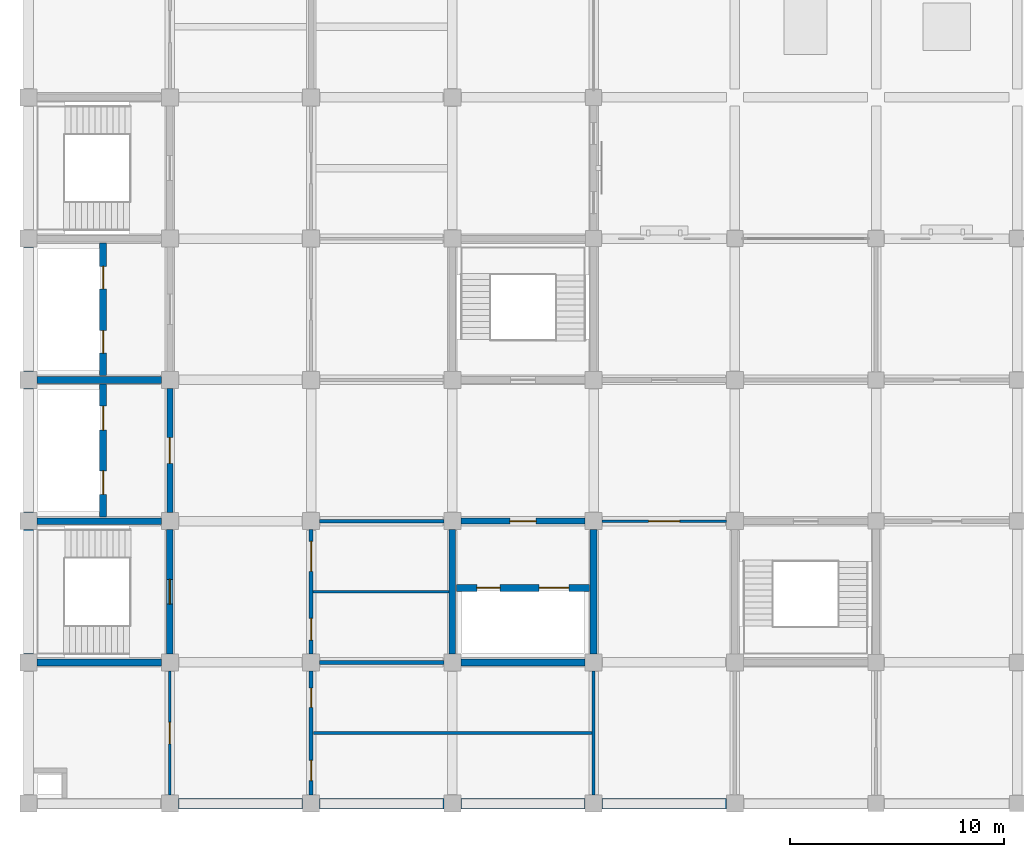
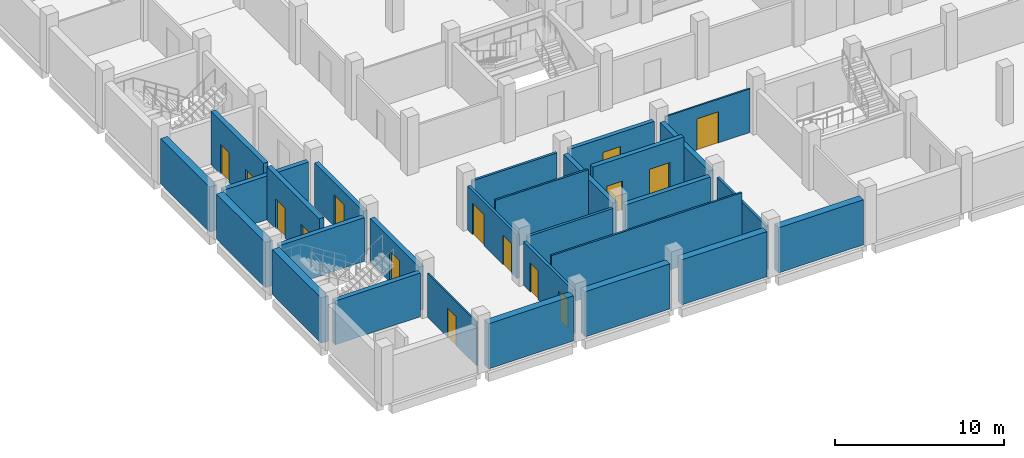
# One storey, part 14 of 23: 28 walls, 15 doors, 15 openings.
"""IFC4 building model written with IfcOpenShell, lengths in metres."""

from ifc_helpers import new_model, si_unit, direction, frame, frame_2d, origin, place, context, subcontext, project, spatial, rectangle, extrude, material, layer, layer_set, type_object, element, fill, save


model = new_model("IFC4")

# Units and contexts
model_context = context("Model", 3, precision=1e-05, world=origin(), true_north=direction((0.0, 1.0)))
body_context = subcontext(model_context, "Body", "Model", "MODEL_VIEW")
ifc_project = project(units=[si_unit("LENGTHUNIT", "METRE"), si_unit("AREAUNIT", "SQUARE_METRE"), si_unit("VOLUMEUNIT", "CUBIC_METRE"), si_unit("PLANEANGLEUNIT", "RADIAN"), si_unit("MASSUNIT", "GRAM", prefix="KILO")], contexts=[model_context])

# Site, building, storey
site_placement = place(None, origin())
site = spatial("IfcSite", under=ifc_project, at=site_placement, CompositionType="ELEMENT")
building_placement = place(site_placement, origin())
building = spatial("IfcBuilding", under=site, at=building_placement, Name="Rusizi Kubbe Research Institute", CompositionType="ELEMENT")
storey_placement = place(building_placement, frame((0.0, 0.0, 18.60009765625)))
storey = spatial("IfcBuildingStorey", under=building, at=storey_placement, Name="L04", CompositionType="ELEMENT", Elevation=18.60009765625)

# Walls
ifc_material_1 = material(Name="Concrete C45/55", Category="concrete")
ifc_layer_1 = layer(ifc_material_1, 0.31494140625)
ifc_layer_set_1 = layer_set([ifc_layer_1], Name="Concrete C45/55")
wall_type_1 = type_object("IfcWallType", Name="CRW-02", PredefinedType="SHEAR", material=ifc_layer_set_1)
for number, where, z_axis, x_axis, name in (
    (1, (0.39990234375, 6.60009765625, 0.0), (0.0, 0.0, 1.0), (1.0, 0.0, 0.0), "Stair Core Shear Wall ST1 L04 S"),
    (2, (0.39990234375, 13.199951171875, 0.0), (0.0, 0.0, 1.0), (1.0, 0.0, 0.0), "Stair Core Shear Wall ST1 L04 N"),
):
    element("IfcWall", number, at=place(storey_placement, frame(where, z_axis=z_axis, x_axis=x_axis)), inside=storey, type_object=wall_type_1, Name=name, PredefinedType="SHEAR", context=body_context, shape_type="SweptSolid", body=[
        extrude(rectangle(XDim=5.800048828125, YDim=0.31494140625, at=frame_2d((2.89990234375, 0.0))), origin(), (0.0, 0.0, 1.0), 3.159912109375),
    ])

# Wall, opening, door
wall_1_placement = place(storey_placement, frame((6.60009765625, 7.0, 0.0), z_axis=(0.0, 0.0, 1.0), x_axis=(0.0, 1.0, 0.0)))
wall_1 = element("IfcWall", 3, at=wall_1_placement, inside=storey, type_object=wall_type_1, Name="Stair Core Shear Wall ST1 L04 E", PredefinedType="SHEAR", context=body_context, shape_type="SweptSolid", body=[
    extrude(rectangle(XDim=5.800048828125, YDim=0.31494140625, at=frame_2d((2.89990234375, 0.0))), origin(), (0.0, 0.0, 1.0), 3.159912109375),
])
opening_1_placement = place(wall_1_placement, frame((2.324951171875, 0.0, 0.0)))
opening_1 = element("IfcOpeningElement", 4, at=opening_1_placement, cuts=wall_1, Name="Opening D-02", PredefinedType="OPENING", context=body_context, shape_type="SweptSolid", body=[
    extrude(rectangle(XDim=1.14990234375, YDim=2.199951171875, at=frame_2d((0.574951171875, 1.10009765625))), frame((0.0, 0.16748046875, 0.0), z_axis=(0.0, -1.0, 0.0), x_axis=(1.0, 0.0, 0.0)), (0.0, 0.0, 1.0), 0.3349609375),
])
ifc_material_2 = material(Name="Fire-Rated Steel Frame and Acoustic Timber Leaf", Category="wood")
door_type_1 = type_object("IfcDoorType", Name="ID-STAIR-115", OperationType="NOTDEFINED", PredefinedType="DOOR", material=ifc_material_2)
door_1_placement = place(opening_1_placement, origin())
door_1 = element("IfcDoor", 5, at=door_1_placement, inside=storey, type_object=door_type_1, Name="Exit Stair Door ST1 L04", OperationType="SINGLE_SWING_RIGHT", OverallHeight=2.199951171875, OverallWidth=1.14990234375, PredefinedType="DOOR", context=body_context, shape_type="SweptSolid", body=[
    extrude(rectangle(XDim=1.14990234375, YDim=2.199951171875, at=frame_2d((0.574951171875, 1.10009765625))), frame((0.0, 0.02490234375, 0.0), z_axis=(0.0, -1.0, 0.0), x_axis=(1.0, 0.0, 0.0)), (0.0, 0.0, 1.0), 0.050048828125),
])
fill(opening_1, door_1)

# Walls
for number, where, z_axis, x_axis, name in (
    (6, (0.39990234375, 19.800048828125, 0.0), (0.0, 0.0, 1.0), (1.0, 0.0, 0.0), "Lift Core Divider Wall (0,2-3) L04"),
    (7, (20.199951171875, 6.60009765625, 0.0), (0.0, 0.0, 1.0), (1.0, 0.0, 0.0), "Lab Lift Core Wall S (3,1) L04"),
    (8, (19.800048828125, 7.0, 0.0), (0.0, 0.0, 1.0), (0.0, 1.0, 0.0), "Lab Lift Core Wall W (3,1) L04"),
    (9, (26.39990234375, 7.0, 0.0), (0.0, 0.0, 1.0), (0.0, 1.0, 0.0), "Lab Lift Core Wall E (3,1) L04"),
):
    element("IfcWall", number, at=place(storey_placement, frame(where, z_axis=z_axis, x_axis=x_axis)), inside=storey, type_object=wall_type_1, Name=name, PredefinedType="SHEAR", context=body_context, shape_type="SweptSolid", body=[
        extrude(rectangle(XDim=5.800048828125, YDim=0.31494140625, at=frame_2d((2.89990234375, 0.0))), origin(), (0.0, 0.0, 1.0), 3.159912109375),
    ])

# Wall, openings, doors
wall_2_placement = place(storey_placement, frame((3.47998046875, 13.39990234375, 0.0), z_axis=(0.0, 0.0, 1.0), x_axis=(0.0, 1.0, 0.0)))
wall_2 = element("IfcWall", 10, at=wall_2_placement, inside=storey, type_object=wall_type_1, Name="Firefighting Lift Shaft Front Wall L04", PredefinedType="SHEAR", context=body_context, shape_type="SweptSolid", body=[
    extrude(rectangle(XDim=6.2001953125, YDim=0.31494140625, at=frame_2d((3.10009765625, 0.0))), origin(), (0.0, 0.0, 1.0), 3.85986328125),
])
opening_2_placement = place(wall_2_placement, frame((1.050048828125, 0.0, 0.0)))
opening_2 = element("IfcOpeningElement", 11, at=opening_2_placement, cuts=wall_2, Name="Opening LD-01", PredefinedType="OPENING", context=body_context, shape_type="SweptSolid", body=[
    extrude(rectangle(XDim=1.10009765625, YDim=2.14990234375, at=frame_2d((0.550048828125, 1.074951171875))), frame((0.0, 0.16748046875, 0.0), z_axis=(0.0, -1.0, 0.0), x_axis=(1.0, 0.0, 0.0)), (0.0, 0.0, 1.0), 0.3349609375),
])
opening_3_placement = place(wall_2_placement, frame((4.050048828125, 0.0, 0.0)))
opening_3 = element("IfcOpeningElement", 12, at=opening_3_placement, cuts=wall_2, Name="Opening LD-02", PredefinedType="OPENING", context=body_context, shape_type="SweptSolid", body=[
    extrude(rectangle(XDim=1.1201171875, YDim=2.14990234375, at=frame_2d((0.56005859375, 1.074951171875))), frame((0.0, 0.16748046875, 0.0), z_axis=(0.0, -1.0, 0.0), x_axis=(1.0, 0.0, 0.0)), (0.0, 0.0, 1.0), 0.3349609375),
])
ifc_material_3 = material(Name="Brushed Stainless Steel Sliding Door", Category="steel")
door_type_2 = type_object("IfcDoorType", Name="LD-01", OperationType="DOUBLE_DOOR_SLIDING", PredefinedType="USERDEFINED", material=ifc_material_3)
door_2_placement = place(opening_2_placement, origin())
door_2 = element("IfcDoor", 13, at=door_2_placement, inside=storey, type_object=door_type_2, Name="Lift Landing Sliding Door FL1 L04", ObjectType="SLIDING DOOR", OperationType="DOUBLE_DOOR_SLIDING", OverallHeight=2.14990234375, OverallWidth=1.10009765625, PredefinedType="USERDEFINED", context=body_context, shape_type="SweptSolid", body=[
    extrude(rectangle(XDim=1.10009765625, YDim=2.14990234375, at=frame_2d((0.550048828125, 1.074951171875))), frame((0.0, 0.02490234375, 0.0), z_axis=(0.0, -1.0, 0.0), x_axis=(1.0, 0.0, 0.0)), (0.0, 0.0, 1.0), 0.050048828125),
])
fill(opening_2, door_2)
ifc_material_4 = material(Name="Brushed Stainless Steel Sliding Door", Category="steel")
door_type_3 = type_object("IfcDoorType", Name="LD-02", OperationType="DOUBLE_DOOR_SLIDING", PredefinedType="USERDEFINED", material=ifc_material_4)
door_3_placement = place(opening_3_placement, origin())
door_3 = element("IfcDoor", 14, at=door_3_placement, inside=storey, type_object=door_type_3, Name="Lift Landing Sliding Door FL2 L04", ObjectType="SLIDING DOOR", OperationType="DOUBLE_DOOR_SLIDING", OverallHeight=2.14990234375, OverallWidth=1.1201171875, PredefinedType="USERDEFINED", context=body_context, shape_type="SweptSolid", body=[
    extrude(rectangle(XDim=1.1201171875, YDim=2.14990234375, at=frame_2d((0.56005859375, 1.074951171875))), frame((0.0, 0.02490234375, 0.0), z_axis=(0.0, -1.0, 0.0), x_axis=(1.0, 0.0, 0.0)), (0.0, 0.0, 1.0), 0.050048828125),
])
fill(opening_3, door_3)

wall_3_placement = place(storey_placement, frame((3.47998046875, 20.0, 0.0), z_axis=(0.0, 0.0, 1.0), x_axis=(0.0, 1.0, 0.0)))
wall_3 = element("IfcWall", 15, at=wall_3_placement, inside=storey, type_object=wall_type_1, Name="Passenger Lift Shaft Front Wall L04", PredefinedType="SHEAR", context=body_context, shape_type="SweptSolid", body=[
    extrude(rectangle(XDim=6.199951171875, YDim=0.31494140625, at=frame_2d((3.10009765625, 0.0))), origin(), (0.0, 0.0, 1.0), 3.85986328125),
])
opening_4_placement = place(wall_3_placement, frame((1.050048828125, 0.0, 0.0)))
opening_4 = element("IfcOpeningElement", 16, at=opening_4_placement, cuts=wall_3, Name="Opening LD-03", PredefinedType="OPENING", context=body_context, shape_type="SweptSolid", body=[
    extrude(rectangle(XDim=1.050048828125, YDim=2.14990234375, at=frame_2d((0.52490234375, 1.074951171875))), frame((0.0, 0.16748046875, 0.0), z_axis=(0.0, -1.0, 0.0), x_axis=(1.0, 0.0, 0.0)), (0.0, 0.0, 1.0), 0.3349609375),
])
opening_5_placement = place(wall_3_placement, frame((4.050048828125, 0.0, 0.0)))
opening_5 = element("IfcOpeningElement", 17, at=opening_5_placement, cuts=wall_3, Name="Opening LD-04", PredefinedType="OPENING", context=body_context, shape_type="SweptSolid", body=[
    extrude(rectangle(XDim=1.06005859375, YDim=2.14990234375, at=frame_2d((0.530029296875, 1.074951171875))), frame((0.0, 0.16748046875, 0.0), z_axis=(0.0, -1.0, 0.0), x_axis=(1.0, 0.0, 0.0)), (0.0, 0.0, 1.0), 0.3349609375),
])
ifc_material_5 = material(Name="Brushed Stainless Steel Sliding Door", Category="steel")
door_type_4 = type_object("IfcDoorType", Name="LD-03", OperationType="DOUBLE_DOOR_SLIDING", PredefinedType="USERDEFINED", material=ifc_material_5)
door_4_placement = place(opening_4_placement, origin())
door_4 = element("IfcDoor", 18, at=door_4_placement, inside=storey, type_object=door_type_4, Name="Lift Landing Sliding Door LP1 L04", ObjectType="SLIDING DOOR", OperationType="DOUBLE_DOOR_SLIDING", OverallHeight=2.14990234375, OverallWidth=1.050048828125, PredefinedType="USERDEFINED", context=body_context, shape_type="SweptSolid", body=[
    extrude(rectangle(XDim=1.050048828125, YDim=2.14990234375, at=frame_2d((0.52490234375, 1.074951171875))), frame((0.0, 0.02490234375, 0.0), z_axis=(0.0, -1.0, 0.0), x_axis=(1.0, 0.0, 0.0)), (0.0, 0.0, 1.0), 0.050048828125),
])
fill(opening_4, door_4)
ifc_material_6 = material(Name="Brushed Stainless Steel Sliding Door", Category="steel")
door_type_5 = type_object("IfcDoorType", Name="LD-04", OperationType="DOUBLE_DOOR_SLIDING", PredefinedType="USERDEFINED", material=ifc_material_6)
door_5_placement = place(opening_5_placement, origin())
door_5 = element("IfcDoor", 19, at=door_5_placement, inside=storey, type_object=door_type_5, Name="Lift Landing Sliding Door LP2 L04", ObjectType="SLIDING DOOR", OperationType="DOUBLE_DOOR_SLIDING", OverallHeight=2.14990234375, OverallWidth=1.06005859375, PredefinedType="USERDEFINED", context=body_context, shape_type="SweptSolid", body=[
    extrude(rectangle(XDim=1.06005859375, YDim=2.14990234375, at=frame_2d((0.530029296875, 1.074951171875))), frame((0.0, 0.02490234375, 0.0), z_axis=(0.0, -1.0, 0.0), x_axis=(1.0, 0.0, 0.0)), (0.0, 0.0, 1.0), 0.050048828125),
])
fill(opening_5, door_5)

wall_4_placement = place(storey_placement, frame((20.0, 10.080078125, 0.0), z_axis=(0.0, 0.0, 1.0), x_axis=(1.0, 0.0, 0.0)))
wall_4 = element("IfcWall", 20, at=wall_4_placement, inside=storey, type_object=wall_type_1, Name="Goods Lift Shaft Front Wall L04", PredefinedType="SHEAR", context=body_context, shape_type="SweptSolid", body=[
    extrude(rectangle(XDim=6.199951171875, YDim=0.31494140625, at=frame_2d((3.10009765625, 0.0))), origin(), (0.0, 0.0, 1.0), 3.85986328125),
])
opening_6_placement = place(wall_4_placement, frame((0.949951171875, 0.0, 0.0)))
opening_6 = element("IfcOpeningElement", 21, at=opening_6_placement, cuts=wall_4, Name="Opening LD-05", PredefinedType="OPENING", context=body_context, shape_type="SweptSolid", body=[
    extrude(rectangle(XDim=1.080078125, YDim=2.14990234375, at=frame_2d((0.5400390625, 1.074951171875))), frame((0.0, 0.16748046875, 0.0), z_axis=(0.0, -1.0, 0.0), x_axis=(1.0, 0.0, 0.0)), (0.0, 0.0, 1.0), 0.3349609375),
])
opening_7_placement = place(wall_4_placement, frame((3.85009765625, 0.0, 0.0)))
opening_7 = element("IfcOpeningElement", 22, at=opening_7_placement, cuts=wall_4, Name="Opening LD-06", PredefinedType="OPENING", context=body_context, shape_type="SweptSolid", body=[
    extrude(rectangle(XDim=1.39990234375, YDim=2.35009765625, at=frame_2d((0.699951171875, 1.175048828125))), frame((0.0, 0.16748046875, 0.0), z_axis=(0.0, -1.0, 0.0), x_axis=(1.0, 0.0, 0.0)), (0.0, 0.0, 1.0), 0.3349609375),
])
ifc_material_7 = material(Name="Brushed Stainless Steel Sliding Door", Category="steel")
door_type_6 = type_object("IfcDoorType", Name="LD-05", OperationType="DOUBLE_DOOR_SLIDING", PredefinedType="USERDEFINED", material=ifc_material_7)
door_6_placement = place(opening_6_placement, origin())
door_6 = element("IfcDoor", 23, at=door_6_placement, inside=storey, type_object=door_type_6, Name="Lift Landing Sliding Door LP3 L04", ObjectType="SLIDING DOOR", OperationType="DOUBLE_DOOR_SLIDING", OverallHeight=2.14990234375, OverallWidth=1.080078125, PredefinedType="USERDEFINED", context=body_context, shape_type="SweptSolid", body=[
    extrude(rectangle(XDim=1.080078125, YDim=2.14990234375, at=frame_2d((0.5400390625, 1.074951171875))), frame((0.0, 0.02490234375, 0.0), z_axis=(0.0, -1.0, 0.0), x_axis=(1.0, 0.0, 0.0)), (0.0, 0.0, 1.0), 0.050048828125),
])
fill(opening_6, door_6)
ifc_material_8 = material(Name="Brushed Stainless Steel Sliding Door", Category="steel")
door_type_7 = type_object("IfcDoorType", Name="LD-06", OperationType="DOUBLE_DOOR_SLIDING", PredefinedType="USERDEFINED", material=ifc_material_8)
door_7_placement = place(opening_7_placement, origin())
door_7 = element("IfcDoor", 24, at=door_7_placement, inside=storey, type_object=door_type_7, Name="Lift Landing Sliding Door LG1 L04", ObjectType="SLIDING DOOR", OperationType="DOUBLE_DOOR_SLIDING", OverallHeight=2.35009765625, OverallWidth=1.39990234375, PredefinedType="USERDEFINED", context=body_context, shape_type="SweptSolid", body=[
    extrude(rectangle(XDim=1.39990234375, YDim=2.35009765625, at=frame_2d((0.699951171875, 1.175048828125))), frame((0.0, 0.02490234375, 0.0), z_axis=(0.0, -1.0, 0.0), x_axis=(1.0, 0.0, 0.0)), (0.0, 0.0, 1.0), 0.050048828125),
])
fill(opening_7, door_7)

ifc_material_9 = material(Name="Insulated Cleanroom Partition", Category="masonry")
ifc_layer_2 = layer(ifc_material_9, 0.195068359375)
ifc_layer_set_2 = layer_set([ifc_layer_2], Name="Insulated Cleanroom Partition")
wall_type_2 = type_object("IfcWallType", Name="IW-02", PredefinedType="PARTITIONING", material=ifc_layer_set_2)
wall_5_placement = place(storey_placement, frame((13.199951171875, 0.39990234375, 0.0), z_axis=(0.0, 0.0, 1.0), x_axis=(0.0, 1.0, 0.0)))
wall_5 = element("IfcWall", 25, at=wall_5_placement, inside=storey, type_object=wall_type_2, Name="Sanitary Core West Corridor Wall L04", PredefinedType="PARTITIONING", context=body_context, shape_type="SweptSolid", body=[
    extrude(rectangle(XDim=5.800048828125, YDim=0.195068359375, at=frame_2d((2.89990234375, 0.0))), origin(), (0.0, 0.0, 1.0), 3.159912109375),
])
opening_8_placement = place(wall_5_placement, frame((0.675048828125, 0.0, 0.0)))
opening_8 = element("IfcOpeningElement", 26, at=opening_8_placement, cuts=wall_5, Name="Opening D-06", PredefinedType="OPENING", context=body_context, shape_type="SweptSolid", body=[
    extrude(rectangle(XDim=0.949951171875, YDim=2.10009765625, at=frame_2d((0.47509765625, 1.050048828125))), frame((0.0, 0.107421875, 0.0), z_axis=(0.0, -1.0, 0.0), x_axis=(1.0, 0.0, 0.0)), (0.0, 0.0, 1.0), 0.215087890625),
])
opening_9_placement = place(wall_5_placement, frame((4.10009765625, 0.0, 0.0)))
opening_9 = element("IfcOpeningElement", 27, at=opening_9_placement, cuts=wall_5, Name="Opening D-05", PredefinedType="OPENING", context=body_context, shape_type="SweptSolid", body=[
    extrude(rectangle(XDim=0.89990234375, YDim=2.10009765625, at=frame_2d((0.449951171875, 1.050048828125))), frame((0.0, 0.107421875, 0.0), z_axis=(0.0, -1.0, 0.0), x_axis=(1.0, 0.0, 0.0)), (0.0, 0.0, 1.0), 0.215087890625),
])
ifc_material_10 = material(Name="Fire-Rated Steel Frame and Acoustic Timber Leaf", Category="wood")
door_type_8 = type_object("IfcDoorType", Name="ID-WC-900", OperationType="NOTDEFINED", PredefinedType="DOOR", material=ifc_material_10)
door_8_placement = place(opening_9_placement, origin())
door_8 = element("IfcDoor", 28, at=door_8_placement, inside=storey, type_object=door_type_8, Name="Door to Female Toilet Room (L04-WC-F)", OperationType="SINGLE_SWING_LEFT", OverallHeight=2.10009765625, OverallWidth=0.89990234375, PredefinedType="DOOR", context=body_context, shape_type="SweptSolid", body=[
    extrude(rectangle(XDim=0.89990234375, YDim=2.10009765625, at=frame_2d((0.449951171875, 1.050048828125))), frame((0.0, 0.02490234375, 0.0), z_axis=(0.0, -1.0, 0.0), x_axis=(1.0, 0.0, 0.0)), (0.0, 0.0, 1.0), 0.050048828125),
])
fill(opening_9, door_8)
ifc_material_11 = material(Name="Fire-Rated Steel Frame and Acoustic Timber Leaf", Category="wood")
door_type_9 = type_object("IfcDoorType", Name="ID-WC-950", OperationType="NOTDEFINED", PredefinedType="DOOR", material=ifc_material_11)
door_9_placement = place(opening_8_placement, origin())
door_9 = element("IfcDoor", 29, at=door_9_placement, inside=storey, type_object=door_type_9, Name="Door to Male Toilet Room (L04-WC-M)", OperationType="SINGLE_SWING_RIGHT", OverallHeight=2.10009765625, OverallWidth=0.949951171875, PredefinedType="DOOR", context=body_context, shape_type="SweptSolid", body=[
    extrude(rectangle(XDim=0.949951171875, YDim=2.10009765625, at=frame_2d((0.47509765625, 1.050048828125))), frame((0.0, 0.02490234375, 0.0), z_axis=(0.0, -1.0, 0.0), x_axis=(1.0, 0.0, 0.0)), (0.0, 0.0, 1.0), 0.050048828125),
])
fill(opening_8, door_9)

# Wall
ifc_material_12 = material(Name="Acoustic Laboratory Partition", Category="masonry")
ifc_layer_3 = layer(ifc_material_12, 0.175048828125)
ifc_layer_set_3 = layer_set([ifc_layer_3], Name="Acoustic Laboratory Partition")
wall_type_3 = type_object("IfcWallType", Name="IW-03", PredefinedType="PARTITIONING", material=ifc_layer_set_3)
wall_6_placement = place(storey_placement, frame((13.60009765625, 6.60009765625, 0.0), z_axis=(0.0, 0.0, 1.0), x_axis=(1.0, 0.0, 0.0)))
element("IfcWall", 30, at=wall_6_placement, inside=storey, type_object=wall_type_3, Name="Sanitary Core North Divider Wall L04", PredefinedType="PARTITIONING", context=body_context, shape_type="SweptSolid", body=[
    extrude(rectangle(XDim=5.7998046875, YDim=0.175048828125, at=frame_2d((2.89990234375, 0.0))), origin(), (0.0, 0.0, 1.0), 3.159912109375),
])

# Wall, openings, doors
wall_7_placement = place(storey_placement, frame((13.199951171875, 7.0, 0.0), z_axis=(0.0, 0.0, 1.0), x_axis=(0.0, 1.0, 0.0)))
wall_7 = element("IfcWall", 31, at=wall_7_placement, inside=storey, type_object=wall_type_3, Name="Accessible WC and Store West Wall L04", PredefinedType="PARTITIONING", context=body_context, shape_type="SweptSolid", body=[
    extrude(rectangle(XDim=5.800048828125, YDim=0.175048828125, at=frame_2d((2.89990234375, 0.0))), origin(), (0.0, 0.0, 1.0), 3.159912109375),
])
opening_10_placement = place(wall_7_placement, frame((0.639892578125, 0.0, 0.0)))
opening_10 = element("IfcOpeningElement", 32, at=opening_10_placement, cuts=wall_7, Name="Opening D-07", PredefinedType="OPENING", context=body_context, shape_type="SweptSolid", body=[
    extrude(rectangle(XDim=1.02001953125, YDim=2.14990234375, at=frame_2d((0.510009765625, 1.074951171875))), frame((0.0, 0.097412109375, 0.0), z_axis=(0.0, -1.0, 0.0), x_axis=(1.0, 0.0, 0.0)), (0.0, 0.0, 1.0), 0.195068359375),
])
opening_11_placement = place(wall_7_placement, frame((3.85009765625, 0.0, 0.0)))
opening_11 = element("IfcOpeningElement", 33, at=opening_11_placement, cuts=wall_7, Name="Opening D-12", PredefinedType="OPENING", context=body_context, shape_type="SweptSolid", body=[
    extrude(rectangle(XDim=1.39990234375, YDim=2.25, at=frame_2d((0.699951171875, 1.125))), frame((0.0, 0.097412109375, 0.0), z_axis=(0.0, -1.0, 0.0), x_axis=(1.0, 0.0, 0.0)), (0.0, 0.0, 1.0), 0.195068359375),
])
ifc_material_13 = material(Name="Fire-Rated Steel Frame and Acoustic Timber Leaf", Category="wood")
door_type_10 = type_object("IfcDoorType", Name="ID-LAB-140", OperationType="NOTDEFINED", PredefinedType="DOOR", material=ifc_material_13)
door_10_placement = place(opening_11_placement, origin())
door_10 = element("IfcDoor", 34, at=door_10_placement, inside=storey, type_object=door_type_10, Name="Door to Laboratory Reagent Store (L04-STR-01)", OperationType="SINGLE_SWING_RIGHT", OverallHeight=2.25, OverallWidth=1.39990234375, PredefinedType="DOOR", context=body_context, shape_type="SweptSolid", body=[
    extrude(rectangle(XDim=1.39990234375, YDim=2.25, at=frame_2d((0.699951171875, 1.125))), frame((0.0, 0.02490234375, 0.0), z_axis=(0.0, -1.0, 0.0), x_axis=(1.0, 0.0, 0.0)), (0.0, 0.0, 1.0), 0.050048828125),
])
fill(opening_11, door_10)
ifc_material_14 = material(Name="Fire-Rated Steel Frame and Acoustic Timber Leaf", Category="wood")
door_type_11 = type_object("IfcDoorType", Name="ID-WC-ACC", OperationType="NOTDEFINED", PredefinedType="DOOR", material=ifc_material_14)
door_11_placement = place(opening_10_placement, origin())
door_11 = element("IfcDoor", 35, at=door_11_placement, inside=storey, type_object=door_type_11, Name="Door to Accessible Toilet Room (L04-WC-ACC)", OperationType="SINGLE_SWING_LEFT", OverallHeight=2.14990234375, OverallWidth=1.02001953125, PredefinedType="DOOR", context=body_context, shape_type="SweptSolid", body=[
    extrude(rectangle(XDim=1.02001953125, YDim=2.14990234375, at=frame_2d((0.510009765625, 1.074951171875))), frame((0.0, 0.02490234375, 0.0), z_axis=(0.0, -1.0, 0.0), x_axis=(1.0, 0.0, 0.0)), (0.0, 0.0, 1.0), 0.050048828125),
])
fill(opening_10, door_11)

# Walls
ifc_material_15 = material(Name="Fire-Rated Corridor Partition", Category="masonry")
ifc_layer_4 = layer(ifc_material_15, 0.155029296875)
ifc_layer_set_4 = layer_set([ifc_layer_4], Name="Fire-Rated Corridor Partition")
wall_type_4 = type_object("IfcWallType", Name="IW-04", PredefinedType="PARTITIONING", material=ifc_layer_set_4)
wall_8_placement = place(storey_placement, frame((26.39990234375, 0.39990234375, 0.0), z_axis=(0.0, 0.0, 1.0), x_axis=(0.0, 1.0, 0.0)))
element("IfcWall", 36, at=wall_8_placement, inside=storey, type_object=wall_type_4, Name="Sanitary Core East Enclosing Wall L04", PredefinedType="PARTITIONING", context=body_context, shape_type="SweptSolid", body=[
    extrude(rectangle(XDim=5.800048828125, YDim=0.155029296875, at=frame_2d((2.89990234375, 0.0))), origin(), (0.0, 0.0, 1.0), 3.159912109375),
])
wall_9_placement = place(storey_placement, frame((13.60009765625, 13.199951171875, 0.0), z_axis=(0.0, 0.0, 1.0), x_axis=(1.0, 0.0, 0.0)))
element("IfcWall", 37, at=wall_9_placement, inside=storey, type_object=wall_type_4, Name="Reagent Store North Corridor Wall L04", PredefinedType="PARTITIONING", context=body_context, shape_type="SweptSolid", body=[
    extrude(rectangle(XDim=5.7998046875, YDim=0.155029296875, at=frame_2d((2.89990234375, 0.0))), origin(), (0.0, 0.0, 1.0), 3.159912109375),
])
ifc_material_16 = material(Name="Sanitary Wet-Wall Partition", Category="masonry")
ifc_layer_5 = layer(ifc_material_16, 0.125)
ifc_layer_set_5 = layer_set([ifc_layer_5], Name="Sanitary Wet-Wall Partition")
wall_type_5 = type_object("IfcWallType", Name="IW-06", PredefinedType="PARTITIONING", material=ifc_layer_set_5)
wall_10_placement = place(storey_placement, frame((13.302490234375, 3.300048828125, 0.0), z_axis=(0.0, 0.0, 1.0), x_axis=(1.0, 0.0, 0.0)))
element("IfcWall", 38, at=wall_10_placement, inside=storey, type_object=wall_type_5, Name="Sanitary Divider Wall L04-1", PredefinedType="PARTITIONING", context=body_context, shape_type="SweptSolid", body=[
    extrude(rectangle(XDim=13.014892578125, YDim=0.125, at=frame_2d((6.50732421875, 0.0))), origin(), (0.0, 0.0, 1.0), 3.85986328125),
])
wall_11_placement = place(storey_placement, frame((13.29248046875, 9.89990234375, 0.0), z_axis=(0.0, 0.0, 1.0), x_axis=(1.0, 0.0, 0.0)))
element("IfcWall", 39, at=wall_11_placement, inside=storey, type_object=wall_type_5, Name="Sanitary Divider Wall L04-2", PredefinedType="PARTITIONING", context=body_context, shape_type="SweptSolid", body=[
    extrude(rectangle(XDim=6.344970703125, YDim=0.125, at=frame_2d((3.17236328125, 0.0))), origin(), (0.0, 0.0, 1.0), 3.85986328125),
])

# Wall, opening, door
ifc_material_17 = material(Name="Sub-Suite Fire Partition", Category="masonry")
ifc_layer_6 = layer(ifc_material_17, 0.110107421875)
ifc_layer_set_6 = layer_set([ifc_layer_6], Name="Sub-Suite Fire Partition")
wall_type_6 = type_object("IfcWallType", Name="IW-07", PredefinedType="PARTITIONING", material=ifc_layer_set_6)
wall_12_placement = place(storey_placement, frame((6.60009765625, 0.39990234375, 0.0), z_axis=(0.0, 0.0, 1.0), x_axis=(0.0, 1.0, 0.0)))
wall_12 = element("IfcWall", 40, at=wall_12_placement, inside=storey, type_object=wall_type_6, Name="Interior Partition Wall L04 V1-0", PredefinedType="PARTITIONING", context=body_context, shape_type="SweptSolid", body=[
    extrude(rectangle(XDim=5.800048828125, YDim=0.110107421875, at=frame_2d((2.89990234375, 0.0))), origin(), (0.0, 0.0, 1.0), 3.159912109375),
])
opening_12_placement = place(wall_12_placement, frame((2.39990234375, 0.0, 0.0)))
opening_12 = element("IfcOpeningElement", 41, at=opening_12_placement, cuts=wall_12, Name="Opening D-04", PredefinedType="OPENING", context=body_context, shape_type="SweptSolid", body=[
    extrude(rectangle(XDim=1.0, YDim=2.10009765625, at=frame_2d((0.5, 1.050048828125))), frame((0.0, 0.06494140625, 0.0), z_axis=(0.0, -1.0, 0.0), x_axis=(1.0, 0.0, 0.0)), (0.0, 0.0, 1.0), 0.130126953125),
])
ifc_material_18 = material(Name="Fire-Rated Steel Frame and Acoustic Timber Leaf", Category="wood")
door_type_12 = type_object("IfcDoorType", Name="ID-MEP-100", OperationType="NOTDEFINED", PredefinedType="DOOR", material=ifc_material_18)
door_12_placement = place(opening_12_placement, origin())
door_12 = element("IfcDoor", 42, at=door_12_placement, inside=storey, type_object=door_type_12, Name="Door to Service Spine Utility Riser Room (L04-MEP-01)", OperationType="SINGLE_SWING_RIGHT", OverallHeight=2.10009765625, OverallWidth=1.0, PredefinedType="DOOR", context=body_context, shape_type="SweptSolid", body=[
    extrude(rectangle(XDim=1.0, YDim=2.10009765625, at=frame_2d((0.5, 1.050048828125))), frame((0.0, 0.02490234375, 0.0), z_axis=(0.0, -1.0, 0.0), x_axis=(1.0, 0.0, 0.0)), (0.0, 0.0, 1.0), 0.050048828125),
])
fill(opening_12, door_12)

wall_13_placement = place(storey_placement, frame((26.800048828125, 13.199951171875, 0.0), z_axis=(0.0, 0.0, 1.0), x_axis=(1.0, 0.0, 0.0)))
wall_13 = element("IfcWall", 43, at=wall_13_placement, inside=storey, type_object=wall_type_6, Name="Interior Partition Wall L04 H4-2", PredefinedType="PARTITIONING", context=body_context, shape_type="SweptSolid", body=[
    extrude(rectangle(XDim=5.800048828125, YDim=0.110107421875, at=frame_2d((2.89990234375, 0.0))), origin(), (0.0, 0.0, 1.0), 3.159912109375),
])
opening_13_placement = place(wall_13_placement, frame((2.175048828125, 0.0, 0.0)))
opening_13 = element("IfcOpeningElement", 44, at=opening_13_placement, cuts=wall_13, Name="Opening D-11", PredefinedType="OPENING", context=body_context, shape_type="SweptSolid", body=[
    extrude(rectangle(XDim=1.449951171875, YDim=2.25, at=frame_2d((0.72509765625, 1.125))), frame((0.0, 0.06494140625, 0.0), z_axis=(0.0, -1.0, 0.0), x_axis=(1.0, 0.0, 0.0)), (0.0, 0.0, 1.0), 0.130126953125),
])
ifc_material_19 = material(Name="Fire-Rated Steel Frame and Acoustic Timber Leaf", Category="wood")
door_type_13 = type_object("IfcDoorType", Name="ID-LAB-145", OperationType="NOTDEFINED", PredefinedType="DOOR", material=ifc_material_19)
door_13_placement = place(opening_13_placement, origin())
door_13 = element("IfcDoor", 45, at=door_13_placement, inside=storey, type_object=door_type_13, Name="Door to Catalysis Wet Laboratory (L04-EWS-01)", OperationType="SINGLE_SWING_LEFT", OverallHeight=2.25, OverallWidth=1.449951171875, PredefinedType="DOOR", context=body_context, shape_type="SweptSolid", body=[
    extrude(rectangle(XDim=1.449951171875, YDim=2.25, at=frame_2d((0.72509765625, 1.125))), frame((0.0, 0.02490234375, 0.0), z_axis=(0.0, -1.0, 0.0), x_axis=(1.0, 0.0, 0.0)), (0.0, 0.0, 1.0), 0.050048828125),
])
fill(opening_13, door_13)

# Walls
ifc_material_20 = material(Name="Concrete C40/50", Category="concrete")
ifc_layer_7 = layer(ifc_material_20, 0.47998046875)
ifc_layer_set_7 = layer_set([ifc_layer_7], Name="Concrete C40/50")
wall_type_7 = type_object("IfcWallType", Name="PW-01", PredefinedType="SOLIDWALL", material=ifc_layer_set_7)
wall_14_placement = place(storey_placement, frame((0.0, 7.0, 0.0), z_axis=(0.0, 0.0, 1.0), x_axis=(0.0, 1.0, 0.0)))
element("IfcWall", 46, at=wall_14_placement, inside=storey, type_object=wall_type_7, Name="Blind Party Wall L04 V0-1", PredefinedType="SOLIDWALL", context=body_context, shape_type="SweptSolid", body=[
    extrude(rectangle(XDim=5.800048828125, YDim=0.47998046875, at=frame_2d((2.89990234375, 0.0))), origin(), (0.0, 0.0, 1.0), 3.260009765625),
])
wall_15_placement = place(storey_placement, frame((0.0, 13.60009765625, 0.0), z_axis=(0.0, 0.0, 1.0), x_axis=(0.0, 1.0, 0.0)))
element("IfcWall", 47, at=wall_15_placement, inside=storey, type_object=wall_type_7, Name="Blind Party Wall L04 V0-2", PredefinedType="SOLIDWALL", context=body_context, shape_type="SweptSolid", body=[
    extrude(rectangle(XDim=5.7998046875, YDim=0.47998046875, at=frame_2d((2.89990234375, 0.0))), origin(), (0.0, 0.0, 1.0), 3.260009765625),
])
for number, where, z_axis, x_axis, name in (
    (48, (0.0, 20.199951171875, 0.0), (0.0, 0.0, 1.0), (0.0, 1.0, 0.0), "Blind Party Wall L04 V0-3"),
    (49, (7.0, 0.0, 0.0), (0.0, 0.0, 1.0), (1.0, 0.0, 0.0), "Blind Party Wall L04 H1-0"),
):
    element("IfcWall", number, at=place(storey_placement, frame(where, z_axis=z_axis, x_axis=x_axis)), inside=storey, type_object=wall_type_7, Name=name, PredefinedType="SOLIDWALL", context=body_context, shape_type="SweptSolid", body=[
        extrude(rectangle(XDim=5.800048828125, YDim=0.47998046875, at=frame_2d((2.89990234375, 0.0))), origin(), (0.0, 0.0, 1.0), 3.260009765625),
    ])
wall_16_placement = place(storey_placement, frame((13.60009765625, 0.0, 0.0), z_axis=(0.0, 0.0, 1.0), x_axis=(1.0, 0.0, 0.0)))
element("IfcWall", 50, at=wall_16_placement, inside=storey, type_object=wall_type_7, Name="Blind Party Wall L04 H2-0", PredefinedType="SOLIDWALL", context=body_context, shape_type="SweptSolid", body=[
    extrude(rectangle(XDim=5.7998046875, YDim=0.47998046875, at=frame_2d((2.89990234375, 0.0))), origin(), (0.0, 0.0, 1.0), 3.260009765625),
])
for number, where, z_axis, x_axis, name in (
    (51, (20.199951171875, 0.0, 0.0), (0.0, 0.0, 1.0), (1.0, 0.0, 0.0), "Blind Party Wall L04 H3-0"),
    (52, (26.800048828125, 0.0, 0.0), (0.0, 0.0, 1.0), (1.0, 0.0, 0.0), "Blind Party Wall L04 H4-0"),
):
    element("IfcWall", number, at=place(storey_placement, frame(where, z_axis=z_axis, x_axis=x_axis)), inside=storey, type_object=wall_type_7, Name=name, PredefinedType="SOLIDWALL", context=body_context, shape_type="SweptSolid", body=[
        extrude(rectangle(XDim=5.800048828125, YDim=0.47998046875, at=frame_2d((2.89990234375, 0.0))), origin(), (0.0, 0.0, 1.0), 3.260009765625),
    ])

# Wall, opening, door
ifc_material_21 = material(Name="Concrete C40/50", Category="concrete")
ifc_layer_8 = layer(ifc_material_21, 0.27490234375)
ifc_layer_set_8 = layer_set([ifc_layer_8], Name="Concrete C40/50")
wall_type_8 = type_object("IfcWallType", Name="SHW-01", PredefinedType="SHEAR", material=ifc_layer_set_8)
wall_17_placement = place(storey_placement, frame((6.60009765625, 13.60009765625, 0.0), z_axis=(0.0, 0.0, 1.0), x_axis=(0.0, 1.0, 0.0)))
wall_17 = element("IfcWall", 53, at=wall_17_placement, inside=storey, type_object=wall_type_8, Name="Firefighting Lobby Wall L04", PredefinedType="SHEAR", context=body_context, shape_type="SweptSolid", body=[
    extrude(rectangle(XDim=5.7998046875, YDim=0.27490234375, at=frame_2d((2.89990234375, 0.0))), origin(), (0.0, 0.0, 1.0), 3.159912109375),
])
opening_14_placement = place(wall_17_placement, frame((2.300048828125, 0.0, 0.0)))
opening_14 = element("IfcOpeningElement", 54, at=opening_14_placement, cuts=wall_17, Name="Opening D-03", PredefinedType="OPENING", context=body_context, shape_type="SweptSolid", body=[
    extrude(rectangle(XDim=1.199951171875, YDim=2.25, at=frame_2d((0.60009765625, 1.125))), frame((0.0, 0.1474609375, 0.0), z_axis=(0.0, -1.0, 0.0), x_axis=(1.0, 0.0, 0.0)), (0.0, 0.0, 1.0), 0.294921875),
])
ifc_material_22 = material(Name="Fire-Rated Steel Frame and Acoustic Timber Leaf", Category="wood")
door_type_14 = type_object("IfcDoorType", Name="ID-FF-120", OperationType="NOTDEFINED", PredefinedType="DOOR", material=ifc_material_22)
door_14_placement = place(opening_14_placement, origin())
door_14 = element("IfcDoor", 55, at=door_14_placement, inside=storey, type_object=door_type_14, Name="Door to Firefighting Lift Lobby (L04-FFL-01)", OperationType="SINGLE_SWING_LEFT", OverallHeight=2.25, OverallWidth=1.199951171875, PredefinedType="DOOR", context=body_context, shape_type="SweptSolid", body=[
    extrude(rectangle(XDim=1.199951171875, YDim=2.25, at=frame_2d((0.60009765625, 1.125))), frame((0.0, 0.02490234375, 0.0), z_axis=(0.0, -1.0, 0.0), x_axis=(1.0, 0.0, 0.0)), (0.0, 0.0, 1.0), 0.050048828125),
])
fill(opening_14, door_14)

wall_18_placement = place(storey_placement, frame((20.199951171875, 13.199951171875, 0.0), z_axis=(0.0, 0.0, 1.0), x_axis=(1.0, 0.0, 0.0)))
wall_18 = element("IfcWall", 56, at=wall_18_placement, inside=storey, type_object=wall_type_8, Name="Goods Lift Lobby Wall L04", PredefinedType="SHEAR", context=body_context, shape_type="SweptSolid", body=[
    extrude(rectangle(XDim=5.800048828125, YDim=0.27490234375, at=frame_2d((2.89990234375, 0.0))), origin(), (0.0, 0.0, 1.0), 3.159912109375),
])
opening_15_placement = place(wall_18_placement, frame((2.2900390625, 0.0, 0.0)))
opening_15 = element("IfcOpeningElement", 57, at=opening_15_placement, cuts=wall_18, Name="Opening D-21", PredefinedType="OPENING", context=body_context, shape_type="SweptSolid", body=[
    extrude(rectangle(XDim=1.219970703125, YDim=2.14990234375, at=frame_2d((0.60986328125, 1.074951171875))), frame((0.0, 0.1474609375, 0.0), z_axis=(0.0, -1.0, 0.0), x_axis=(1.0, 0.0, 0.0)), (0.0, 0.0, 1.0), 0.294921875),
])
ifc_material_23 = material(Name="Fire-Rated Steel Frame and Acoustic Timber Leaf", Category="wood")
door_type_15 = type_object("IfcDoorType", Name="ID-STR-122", OperationType="NOTDEFINED", PredefinedType="DOOR", material=ifc_material_23)
door_15_placement = place(opening_15_placement, origin())
door_15 = element("IfcDoor", 58, at=door_15_placement, inside=storey, type_object=door_type_15, Name="Door to Laboratory Goods Lift Lobby (L04-GLB-01)", OperationType="SINGLE_SWING_RIGHT", OverallHeight=2.14990234375, OverallWidth=1.219970703125, PredefinedType="DOOR", context=body_context, shape_type="SweptSolid", body=[
    extrude(rectangle(XDim=1.219970703125, YDim=2.14990234375, at=frame_2d((0.60986328125, 1.074951171875))), frame((0.0, 0.02490234375, 0.0), z_axis=(0.0, -1.0, 0.0), x_axis=(1.0, 0.0, 0.0)), (0.0, 0.0, 1.0), 0.050048828125),
])
fill(opening_15, door_15)

save(model, "model.ifc")
